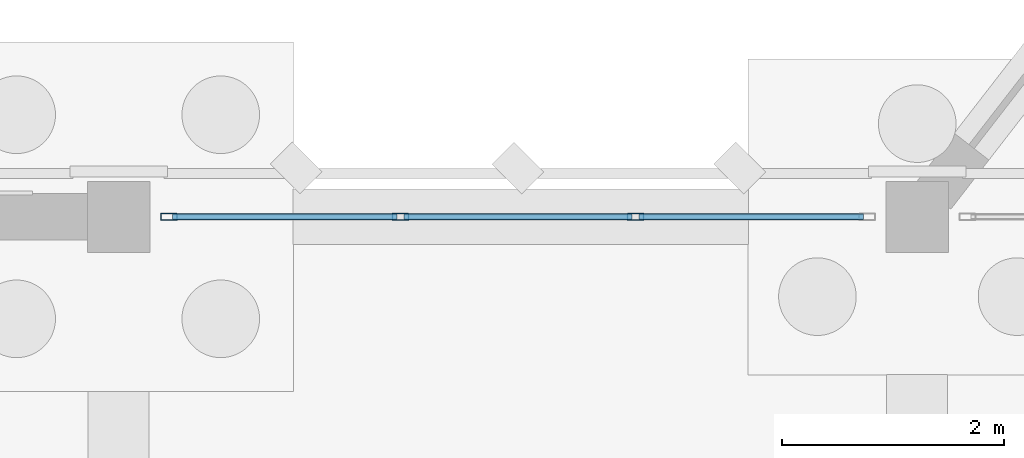
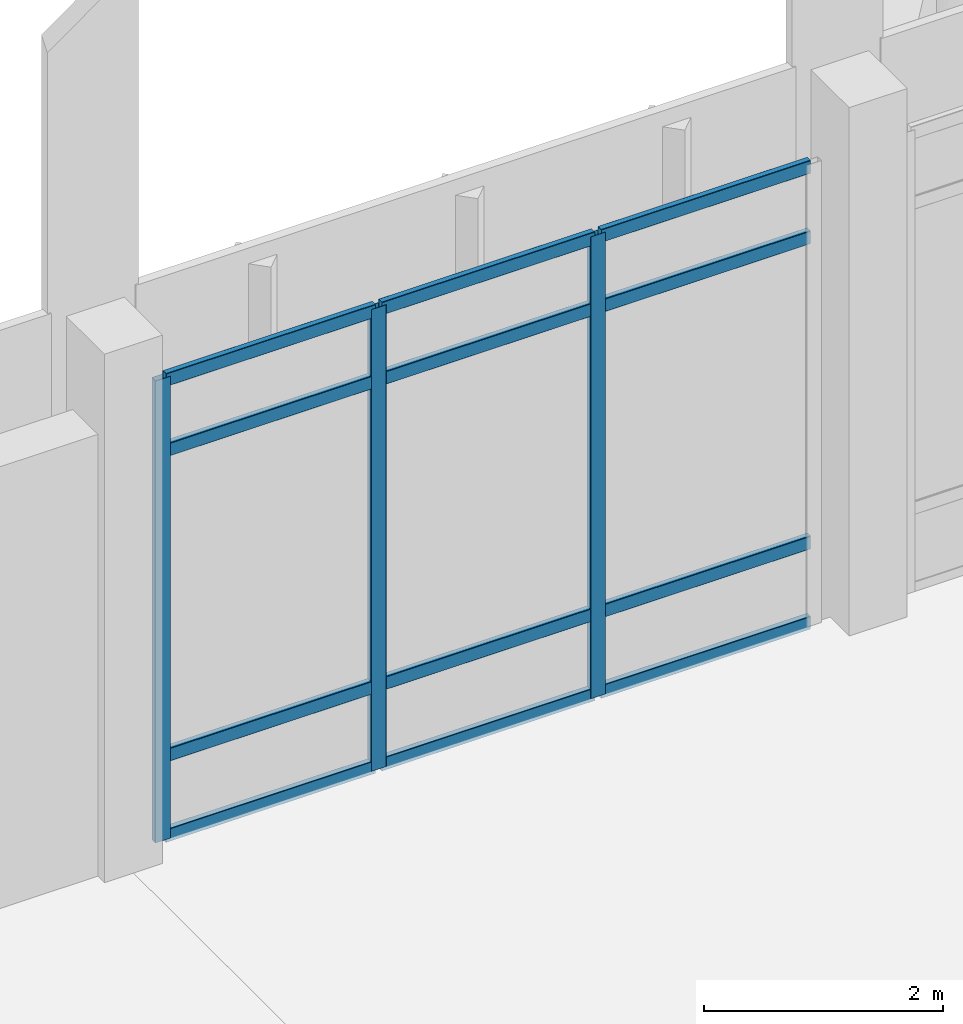
# One storey, part 59 of 109: 15 members, 1 element without a shape of its own.
"""IFC4 building model written with IfcOpenShell, lengths in metres."""

from ifc_helpers import new_model, si_unit, direction, frame, origin, origin_2d, place, context, subcontext, project, spatial, hollow_rectangle, extrude, material, material_profile, profile_set, type_object, element, aggregate, save


model = new_model("IFC4")

# Units and contexts
model_context = context("Model", 3, precision=1e-05, world=origin(), true_north=direction((0.0, 1.0)))
body_context = subcontext(model_context, "Body", "Model", "MODEL_VIEW")
ifc_project = project(units=[si_unit("LENGTHUNIT", "METRE"), si_unit("AREAUNIT", "SQUARE_METRE"), si_unit("VOLUMEUNIT", "CUBIC_METRE"), si_unit("PLANEANGLEUNIT", "RADIAN"), si_unit("MASSUNIT", "GRAM", prefix="KILO")], contexts=[model_context])

# Site, building, storey
site_placement = place(None, origin())
site = spatial("IfcSite", under=ifc_project, at=site_placement, CompositionType="ELEMENT")
building_placement = place(site_placement, origin())
building = spatial("IfcBuilding", under=site, at=building_placement, Name="Lusvemor Sports Hall", CompositionType="ELEMENT")
storey_placement = place(building_placement, origin())
storey = spatial("IfcBuildingStorey", under=building, at=storey_placement, Name="L00", CompositionType="ELEMENT", Elevation=0.0)

# Curtain wall, members
ifc_material_1 = material(Name="Thermally broken bronze-anodized aluminium", Category="aluminium")
curtain_wall_type = type_object("IfcCurtainWallType", Name="CW_WING_B", PredefinedType="NOTDEFINED", material=ifc_material_1)
curtain_wall_placement = place(storey_placement, origin())
curtain_wall = element("IfcCurtainWall", 1, at=curtain_wall_placement, inside=storey, type_object=curtain_wall_type, Name="Curtain Wall CW-L00-N-1-12", PredefinedType="NOTDEFINED")
ifc_material_2 = material(Name="Thermally broken bronze-anodized aluminium", Category="aluminium")
ifc_material_profile_1 = material_profile(ifc_material_2, hollow_rectangle(XDim=0.06494140625, YDim=0.14990234375, WallThickness=0.00390625, InnerFilletRadius=0.00390625, OuterFilletRadius=0.008056640625, at=origin_2d()), Name="CWMUL150x65x4")
ifc_profile_set_1 = profile_set([ifc_material_profile_1], Name="Thermally broken bronze-anodized aluminium")
member_type_1 = type_object("IfcMemberType", Name="CW_MUL_B", PredefinedType="MULLION", material=ifc_profile_set_1)
member_1_placement = place(storey_placement, frame((119.25244140625, 115.199951171875, 0.0), z_axis=(0.0, 0.0, 1.0), x_axis=(0.0, 1.0, 0.0)))
member_1 = element("IfcMember", 2, at=member_1_placement, type_object=member_type_1, Name="CW02 mullion 1", PredefinedType="MULLION", context=body_context, shape_type="SweptSolid", body=[
    extrude(hollow_rectangle(XDim=0.06494140625, YDim=0.14990234375, WallThickness=0.00390625, InnerFilletRadius=0.00390625, OuterFilletRadius=0.008056640625, at=origin_2d()), origin(), (0.0, 0.0, 1.0), 4.719970703125),
])
member_2_placement = place(storey_placement, frame((121.340087890625, 115.199951171875, 0.0), z_axis=(0.0, 0.0, 1.0), x_axis=(0.0, 1.0, 0.0)))
member_2 = element("IfcMember", 3, at=member_2_placement, type_object=member_type_1, Name="CW02 mullion 2", PredefinedType="MULLION", context=body_context, shape_type="SweptSolid", body=[
    extrude(hollow_rectangle(XDim=0.06494140625, YDim=0.14990234375, WallThickness=0.00390625, InnerFilletRadius=0.00390625, OuterFilletRadius=0.008056640625, at=origin_2d()), origin(), (0.0, 0.0, 1.0), 4.719970703125),
])
member_3_placement = place(storey_placement, frame((123.4599609375, 115.199951171875, 0.0), z_axis=(0.0, 0.0, 1.0), x_axis=(0.0, 1.0, 0.0)))
member_3 = element("IfcMember", 4, at=member_3_placement, type_object=member_type_1, Name="CW02 mullion 3", PredefinedType="MULLION", context=body_context, shape_type="SweptSolid", body=[
    extrude(hollow_rectangle(XDim=0.06494140625, YDim=0.14990234375, WallThickness=0.00390625, InnerFilletRadius=0.00390625, OuterFilletRadius=0.008056640625, at=origin_2d()), origin(), (0.0, 0.0, 1.0), 4.719970703125),
])
ifc_material_3 = material(Name="Thermally broken bronze-anodized aluminium", Category="aluminium")
ifc_material_profile_2 = material_profile(ifc_material_3, hollow_rectangle(XDim=0.06005859375, YDim=0.135009765625, WallThickness=0.00390625, InnerFilletRadius=0.00390625, OuterFilletRadius=0.008056640625, at=origin_2d()), Name="CWTRN135x60x4")
ifc_profile_set_2 = profile_set([ifc_material_profile_2], Name="Thermally broken bronze-anodized aluminium")
member_type_2 = type_object("IfcMemberType", Name="CW_TRN_B", PredefinedType="USERDEFINED", material=ifc_profile_set_2)
member_4_placement = place(storey_placement, frame((119.284912109375, 115.199951171875, 0.030029296875), z_axis=(1.0, 0.0, 0.0), x_axis=(0.0, 1.0, 0.0)))
member_4 = element("IfcMember", 5, at=member_4_placement, type_object=member_type_2, Name="CW02 transom 1.1", ObjectType="TRANSOM", PredefinedType="USERDEFINED", context=body_context, shape_type="SweptSolid", body=[
    extrude(hollow_rectangle(XDim=0.06005859375, YDim=0.135009765625, WallThickness=0.00390625, InnerFilletRadius=0.00390625, OuterFilletRadius=0.008056640625, at=origin_2d()), origin(), (0.0, 0.0, 1.0), 2.022705078125),
])
member_5_placement = place(storey_placement, frame((119.284912109375, 115.199951171875, 0.85009765625), z_axis=(1.0, 0.0, 0.0), x_axis=(0.0, 1.0, 0.0)))
member_5 = element("IfcMember", 6, at=member_5_placement, type_object=member_type_2, Name="CW02 transom 1.2", ObjectType="TRANSOM", PredefinedType="USERDEFINED", context=body_context, shape_type="SweptSolid", body=[
    extrude(hollow_rectangle(XDim=0.06005859375, YDim=0.135009765625, WallThickness=0.00390625, InnerFilletRadius=0.00390625, OuterFilletRadius=0.008056640625, at=origin_2d()), origin(), (0.0, 0.0, 1.0), 2.022705078125),
])
member_6_placement = place(storey_placement, frame((119.284912109375, 115.199951171875, 3.969970703125), z_axis=(1.0, 0.0, 0.0), x_axis=(0.0, 1.0, 0.0)))
member_6 = element("IfcMember", 7, at=member_6_placement, type_object=member_type_2, Name="CW02 transom 1.3", ObjectType="TRANSOM", PredefinedType="USERDEFINED", context=body_context, shape_type="SweptSolid", body=[
    extrude(hollow_rectangle(XDim=0.06005859375, YDim=0.135009765625, WallThickness=0.00390625, InnerFilletRadius=0.00390625, OuterFilletRadius=0.008056640625, at=origin_2d()), origin(), (0.0, 0.0, 1.0), 2.022705078125),
])
member_7_placement = place(storey_placement, frame((119.284912109375, 115.199951171875, 4.68994140625), z_axis=(1.0, 0.0, 0.0), x_axis=(0.0, 1.0, 0.0)))
member_7 = element("IfcMember", 8, at=member_7_placement, type_object=member_type_2, Name="CW02 transom 1.4", ObjectType="TRANSOM", PredefinedType="USERDEFINED", context=body_context, shape_type="SweptSolid", body=[
    extrude(hollow_rectangle(XDim=0.06005859375, YDim=0.135009765625, WallThickness=0.00390625, InnerFilletRadius=0.00390625, OuterFilletRadius=0.008056640625, at=origin_2d()), origin(), (0.0, 0.0, 1.0), 2.022705078125),
])
member_8_placement = place(storey_placement, frame((121.37255859375, 115.199951171875, 0.030029296875), z_axis=(1.0, 0.0, 0.0), x_axis=(0.0, 1.0, 0.0)))
member_8 = element("IfcMember", 9, at=member_8_placement, type_object=member_type_2, Name="CW02 transom 2.1", ObjectType="TRANSOM", PredefinedType="USERDEFINED", context=body_context, shape_type="SweptSolid", body=[
    extrude(hollow_rectangle(XDim=0.06005859375, YDim=0.135009765625, WallThickness=0.00390625, InnerFilletRadius=0.00390625, OuterFilletRadius=0.008056640625, at=origin_2d()), origin(), (0.0, 0.0, 1.0), 2.054931640625),
])
member_9_placement = place(storey_placement, frame((121.37255859375, 115.199951171875, 0.85009765625), z_axis=(1.0, 0.0, 0.0), x_axis=(0.0, 1.0, 0.0)))
member_9 = element("IfcMember", 10, at=member_9_placement, type_object=member_type_2, Name="CW02 transom 2.2", ObjectType="TRANSOM", PredefinedType="USERDEFINED", context=body_context, shape_type="SweptSolid", body=[
    extrude(hollow_rectangle(XDim=0.06005859375, YDim=0.135009765625, WallThickness=0.00390625, InnerFilletRadius=0.00390625, OuterFilletRadius=0.008056640625, at=origin_2d()), origin(), (0.0, 0.0, 1.0), 2.054931640625),
])
member_10_placement = place(storey_placement, frame((121.37255859375, 115.199951171875, 3.969970703125), z_axis=(1.0, 0.0, 0.0), x_axis=(0.0, 1.0, 0.0)))
member_10 = element("IfcMember", 11, at=member_10_placement, type_object=member_type_2, Name="CW02 transom 2.3", ObjectType="TRANSOM", PredefinedType="USERDEFINED", context=body_context, shape_type="SweptSolid", body=[
    extrude(hollow_rectangle(XDim=0.06005859375, YDim=0.135009765625, WallThickness=0.00390625, InnerFilletRadius=0.00390625, OuterFilletRadius=0.008056640625, at=origin_2d()), origin(), (0.0, 0.0, 1.0), 2.054931640625),
])
member_11_placement = place(storey_placement, frame((121.37255859375, 115.199951171875, 4.68994140625), z_axis=(1.0, 0.0, 0.0), x_axis=(0.0, 1.0, 0.0)))
member_11 = element("IfcMember", 12, at=member_11_placement, type_object=member_type_2, Name="CW02 transom 2.4", ObjectType="TRANSOM", PredefinedType="USERDEFINED", context=body_context, shape_type="SweptSolid", body=[
    extrude(hollow_rectangle(XDim=0.06005859375, YDim=0.135009765625, WallThickness=0.00390625, InnerFilletRadius=0.00390625, OuterFilletRadius=0.008056640625, at=origin_2d()), origin(), (0.0, 0.0, 1.0), 2.054931640625),
])
member_12_placement = place(storey_placement, frame((123.492431640625, 115.199951171875, 0.030029296875), z_axis=(1.0, 0.0, 0.0), x_axis=(0.0, 1.0, 0.0)))
member_12 = element("IfcMember", 13, at=member_12_placement, type_object=member_type_2, Name="CW02 transom 3.1", ObjectType="TRANSOM", PredefinedType="USERDEFINED", context=body_context, shape_type="SweptSolid", body=[
    extrude(hollow_rectangle(XDim=0.06005859375, YDim=0.135009765625, WallThickness=0.00390625, InnerFilletRadius=0.00390625, OuterFilletRadius=0.008056640625, at=origin_2d()), origin(), (0.0, 0.0, 1.0), 2.0224609375),
])
member_13_placement = place(storey_placement, frame((123.492431640625, 115.199951171875, 0.85009765625), z_axis=(1.0, 0.0, 0.0), x_axis=(0.0, 1.0, 0.0)))
member_13 = element("IfcMember", 14, at=member_13_placement, type_object=member_type_2, Name="CW02 transom 3.2", ObjectType="TRANSOM", PredefinedType="USERDEFINED", context=body_context, shape_type="SweptSolid", body=[
    extrude(hollow_rectangle(XDim=0.06005859375, YDim=0.135009765625, WallThickness=0.00390625, InnerFilletRadius=0.00390625, OuterFilletRadius=0.008056640625, at=origin_2d()), origin(), (0.0, 0.0, 1.0), 2.0224609375),
])
member_14_placement = place(storey_placement, frame((123.492431640625, 115.199951171875, 3.969970703125), z_axis=(1.0, 0.0, 0.0), x_axis=(0.0, 1.0, 0.0)))
member_14 = element("IfcMember", 15, at=member_14_placement, type_object=member_type_2, Name="CW02 transom 3.3", ObjectType="TRANSOM", PredefinedType="USERDEFINED", context=body_context, shape_type="SweptSolid", body=[
    extrude(hollow_rectangle(XDim=0.06005859375, YDim=0.135009765625, WallThickness=0.00390625, InnerFilletRadius=0.00390625, OuterFilletRadius=0.008056640625, at=origin_2d()), origin(), (0.0, 0.0, 1.0), 2.0224609375),
])
member_15_placement = place(storey_placement, frame((123.492431640625, 115.199951171875, 4.68994140625), z_axis=(1.0, 0.0, 0.0), x_axis=(0.0, 1.0, 0.0)))
member_15 = element("IfcMember", 16, at=member_15_placement, type_object=member_type_2, Name="CW02 transom 3.4", ObjectType="TRANSOM", PredefinedType="USERDEFINED", context=body_context, shape_type="SweptSolid", body=[
    extrude(hollow_rectangle(XDim=0.06005859375, YDim=0.135009765625, WallThickness=0.00390625, InnerFilletRadius=0.00390625, OuterFilletRadius=0.008056640625, at=origin_2d()), origin(), (0.0, 0.0, 1.0), 2.0224609375),
])
aggregate(curtain_wall, [member_1, member_2, member_3, member_4, member_5, member_6, member_7, member_8, member_9, member_10, member_11, member_12, member_13, member_14, member_15])

save(model, "model.ifc")
